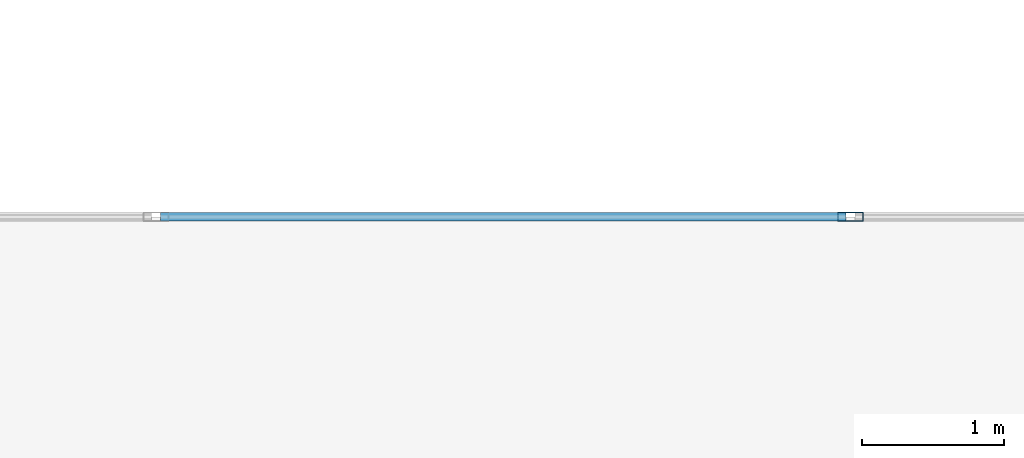
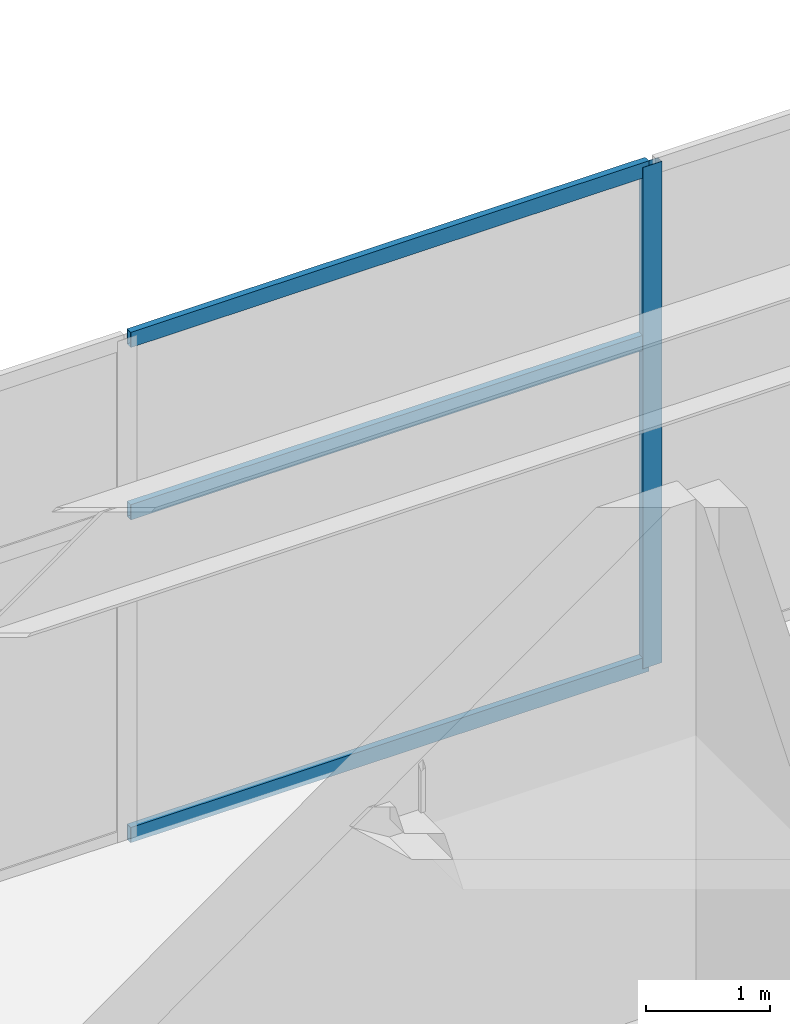
# One storey, part 9 of 22: 4 members, 1 element without a shape of its own.
"""IFC4 building model written with IfcOpenShell, lengths in metres."""

from ifc_helpers import new_model, si_unit, direction, frame, origin, origin_2d, place, context, subcontext, project, spatial, hollow_rectangle, extrude, material, layer, layer_set, material_profile, profile_set, type_object, element, aggregate, save


model = new_model("IFC4")

# Units and contexts
model_context = context("Model", 3, precision=1e-05, world=origin(), true_north=direction((0.0, 1.0)))
body_context = subcontext(model_context, "Body", "Model", "MODEL_VIEW")
ifc_project = project(units=[si_unit("LENGTHUNIT", "METRE"), si_unit("AREAUNIT", "SQUARE_METRE"), si_unit("VOLUMEUNIT", "CUBIC_METRE"), si_unit("PLANEANGLEUNIT", "RADIAN"), si_unit("MASSUNIT", "GRAM", prefix="KILO")], contexts=[model_context])

# Site, building, storey
site_placement = place(None, origin())
site = spatial("IfcSite", under=ifc_project, at=site_placement, CompositionType="ELEMENT")
building_placement = place(site_placement, origin())
building = spatial("IfcBuilding", under=site, at=building_placement, Name="Mawjaban Terraces University", CompositionType="ELEMENT")
storey_placement = place(building_placement, frame((0.0, 0.0, 5.199951171875)))
storey = spatial("IfcBuildingStorey", under=building, at=storey_placement, Name="L01", CompositionType="ELEMENT", Elevation=5.199951171875)

# Curtain wall, members
ifc_material_1 = material(Name="Anodised aluminium 6063-T6 and solar-control low-E glass", Category="aluminium")
ifc_layer = layer(ifc_material_1, 0.179931640625)
ifc_layer_set = layer_set([ifc_layer], Name="Anodised aluminium 6063-T6 and solar-control low-E glass")
curtain_wall_type = type_object("IfcCurtainWallType", Name="CWSystem_01_PlazaFoyer", PredefinedType="NOTDEFINED", material=ifc_layer_set)
curtain_wall_placement = place(storey_placement, origin())
curtain_wall = element("IfcCurtainWall", 1, at=curtain_wall_placement, inside=storey, type_object=curtain_wall_type, Name="L01 Curtain Wall CW-01 Run 5.1", PredefinedType="NOTDEFINED")
ifc_material_2 = material(Name="Anodised aluminium 6063-T6", Category="aluminium")
ifc_material_profile_1 = material_profile(ifc_material_2, hollow_rectangle(XDim=0.06494140625, YDim=0.179931640625, WallThickness=0.00390625, at=origin_2d()), Name="ALU180X65X4")
ifc_profile_set_1 = profile_set([ifc_material_profile_1], Name="Anodised aluminium 6063-T6")
member_type_1 = type_object("IfcMemberType", Name="Mullion_CW-01", PredefinedType="MULLION", material=ifc_profile_set_1)
member_1_placement = place(storey_placement, frame((68.625, 32.0, 0.0), z_axis=(0.0, 0.0, 1.0), x_axis=(0.0, -1.0, 0.0)))
member_1 = element("IfcMember", 2, at=member_1_placement, type_object=member_type_1, Name="CW-01 mullion 2", PredefinedType="MULLION", context=body_context, shape_type="SweptSolid", body=[
    extrude(hollow_rectangle(XDim=0.06494140625, YDim=0.179931640625, WallThickness=0.00390625, at=origin_2d()), origin(), (0.0, 0.0, 1.0), 4.920166015625),
])
ifc_material_profile_2 = material_profile(ifc_material_2, hollow_rectangle(XDim=0.06005859375, YDim=0.14990234375, WallThickness=0.00390625, at=origin_2d()), Name="ALU150X60X4")
ifc_profile_set_2 = profile_set([ifc_material_profile_2], Name="Anodised aluminium 6063-T6")
member_type_2 = type_object("IfcMemberType", Name="Transom_CW-01", PredefinedType="NOTDEFINED", material=ifc_profile_set_2)
member_2_placement = place(storey_placement, frame((68.592529296875, 32.0, 0.030029296875), z_axis=(-1.0, 0.0, 0.0), x_axis=(0.0, -1.0, 0.0)))
member_2 = element("IfcMember", 3, at=member_2_placement, type_object=member_type_2, Name="CW-01 transom 2.1", ObjectType="TRANSOM", PredefinedType="USERDEFINED", context=body_context, shape_type="SweptSolid", body=[
    extrude(hollow_rectangle(XDim=0.06005859375, YDim=0.14990234375, WallThickness=0.00390625, at=origin_2d()), origin(), (0.0, 0.0, 1.0), 4.81005859375),
])
member_3_placement = place(storey_placement, frame((68.592529296875, 32.0, 3.197998046875), z_axis=(-1.0, 0.0, 0.0), x_axis=(0.0, -1.0, 0.0)))
member_3 = element("IfcMember", 4, at=member_3_placement, type_object=member_type_2, Name="CW-01 transom 2.2", ObjectType="TRANSOM", PredefinedType="USERDEFINED", context=body_context, shape_type="SweptSolid", body=[
    extrude(hollow_rectangle(XDim=0.06005859375, YDim=0.14990234375, WallThickness=0.00390625, at=origin_2d()), origin(), (0.0, 0.0, 1.0), 4.81005859375),
])
member_4_placement = place(storey_placement, frame((68.592529296875, 32.0, 4.89013671875), z_axis=(-1.0, 0.0, 0.0), x_axis=(0.0, -1.0, 0.0)))
member_4 = element("IfcMember", 5, at=member_4_placement, type_object=member_type_2, Name="CW-01 transom 2.3", ObjectType="TRANSOM", PredefinedType="USERDEFINED", context=body_context, shape_type="SweptSolid", body=[
    extrude(hollow_rectangle(XDim=0.06005859375, YDim=0.14990234375, WallThickness=0.00390625, at=origin_2d()), origin(), (0.0, 0.0, 1.0), 4.81005859375),
])
aggregate(curtain_wall, [member_1, member_2, member_3, member_4])

save(model, "model.ifc")
